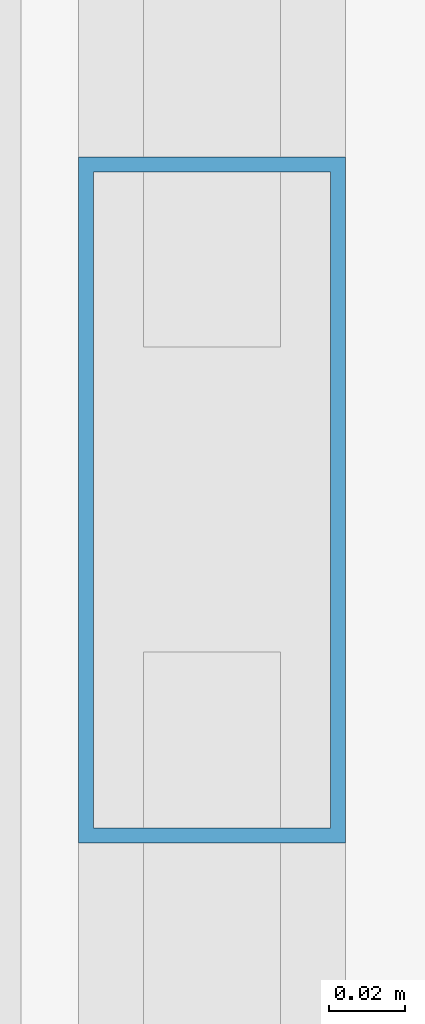
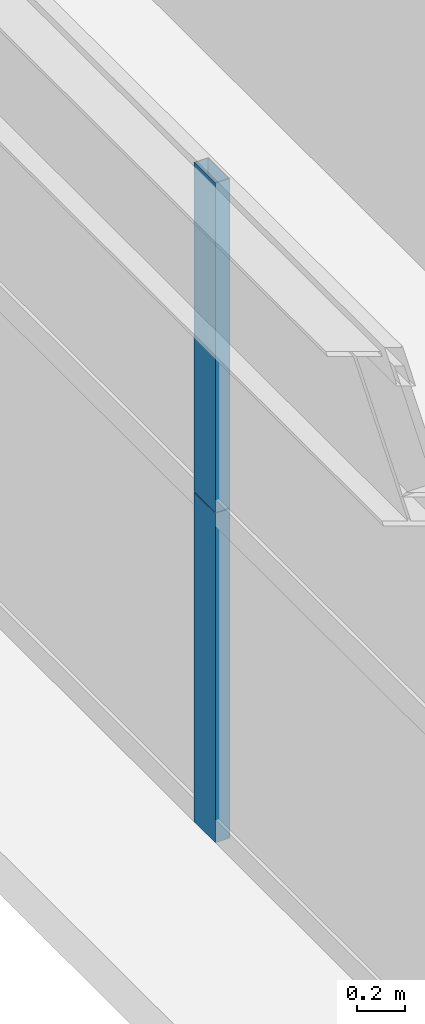
# One storey, part 20 of 38: 2 members, 1 element without a shape of its own.
"""IFC4 building model written with IfcOpenShell, lengths in metres."""

from ifc_helpers import new_model, si_unit, direction, frame, origin, origin_2d, place, context, subcontext, project, spatial, hollow_rectangle, extrude, source, transform, mapped, material, layer, layer_set, material_profile, profile_set, type_object, element, aggregate, save


model = new_model("IFC4")

# Units and contexts
model_context = context("Model", 3, precision=1e-05, world=origin(), true_north=direction((0.0, 1.0)))
body_context = subcontext(model_context, "Body", "Model", "MODEL_VIEW")
ifc_project = project(units=[si_unit("LENGTHUNIT", "METRE"), si_unit("AREAUNIT", "SQUARE_METRE"), si_unit("VOLUMEUNIT", "CUBIC_METRE"), si_unit("PLANEANGLEUNIT", "RADIAN"), si_unit("MASSUNIT", "GRAM", prefix="KILO"), si_unit("THERMODYNAMICTEMPERATUREUNIT", "KELVIN"), si_unit("POWERUNIT", "WATT")], contexts=[model_context])

# Site, building, storey
site_placement = place(None, origin())
site = spatial("IfcSite", under=ifc_project, at=site_placement, CompositionType="ELEMENT")
building_placement = place(site_placement, origin())
building = spatial("IfcBuilding", under=site, at=building_placement, Name="Yuzanri Waterfront Tower", CompositionType="ELEMENT")
storey_placement = place(building_placement, frame((0.0, 0.0, 90.199951171875)))
storey = spatial("IfcBuildingStorey", under=building, at=storey_placement, Name="L23", CompositionType="ELEMENT", Elevation=90.199951171875)

# Curtain wall, members
ifc_material_1 = material(Name="Anodized Architectural Bronze", Category="metal")
ifc_layer = layer(ifc_material_1, 0.159912109375)
ifc_layer_set = layer_set([ifc_layer], Name="Anodized Architectural Bronze")
curtain_wall_type = type_object("IfcCurtainWallType", Name="Anodized Bronze Hotel Upper-Tier Solar-Control Unitized Curtain Wall 7800", PredefinedType="NOTDEFINED", material=ifc_layer_set)
curtain_wall_placement = place(storey_placement, origin())
curtain_wall = element("IfcCurtainWall", 1, at=curtain_wall_placement, inside=storey, type_object=curtain_wall_type, Name="L23 Curtain Wall CW-L23-WR", PredefinedType="NOTDEFINED")
ifc_material_2 = material(Name="Anodized Architectural Bronze", Category="metal")
ifc_material_profile = material_profile(ifc_material_2, hollow_rectangle(XDim=0.070068359375, YDim=0.179931640625, WallThickness=0.00390625, at=origin_2d()), Name="CWM 70x180")
ifc_profile_set = profile_set([ifc_material_profile], Name="Anodized Architectural Bronze")
member_type = type_object("IfcMemberType", Name="Anodized Bronze Standard Curtain-Wall Mullion 70x180", PredefinedType="MULLION", material=ifc_profile_set)
shared_shape = source(origin(), body_context, "Body", "SweptSolid", [
    extrude(hollow_rectangle(XDim=0.070068359375, YDim=0.179931640625, WallThickness=0.00390625, at=origin_2d()), origin(), (0.0, 0.0, 1.0), 1.68798828125),
])
member_1_placement = place(storey_placement, frame((13.550048828125, 34.14990234375, 0.0), z_axis=(0.0, 0.0, 1.0), x_axis=(1.0, 0.0, 0.0)))
member_1 = element("IfcMember", 2, at=member_1_placement, type_object=member_type, Name="CW-L23-WR Lower Mullion 01", PredefinedType="MULLION", context=body_context, shape_type="MappedRepresentation", body=[
    mapped(shared_shape, transform((0.0, 0.0, 0.0), scale=1.0)),
])
member_2_placement = place(storey_placement, frame((13.550048828125, 34.14990234375, 1.692138671875), z_axis=(0.0, 0.0, 1.0), x_axis=(1.0, 0.0, 0.0)))
member_2 = element("IfcMember", 3, at=member_2_placement, type_object=member_type, Name="CW-L23-WR Upper Mullion 01", PredefinedType="MULLION", context=body_context, shape_type="MappedRepresentation", body=[
    mapped(shared_shape, transform((0.0, 0.0, 0.0), scale=1.0)),
])
aggregate(curtain_wall, [member_1, member_2])

save(model, "model.ifc")
